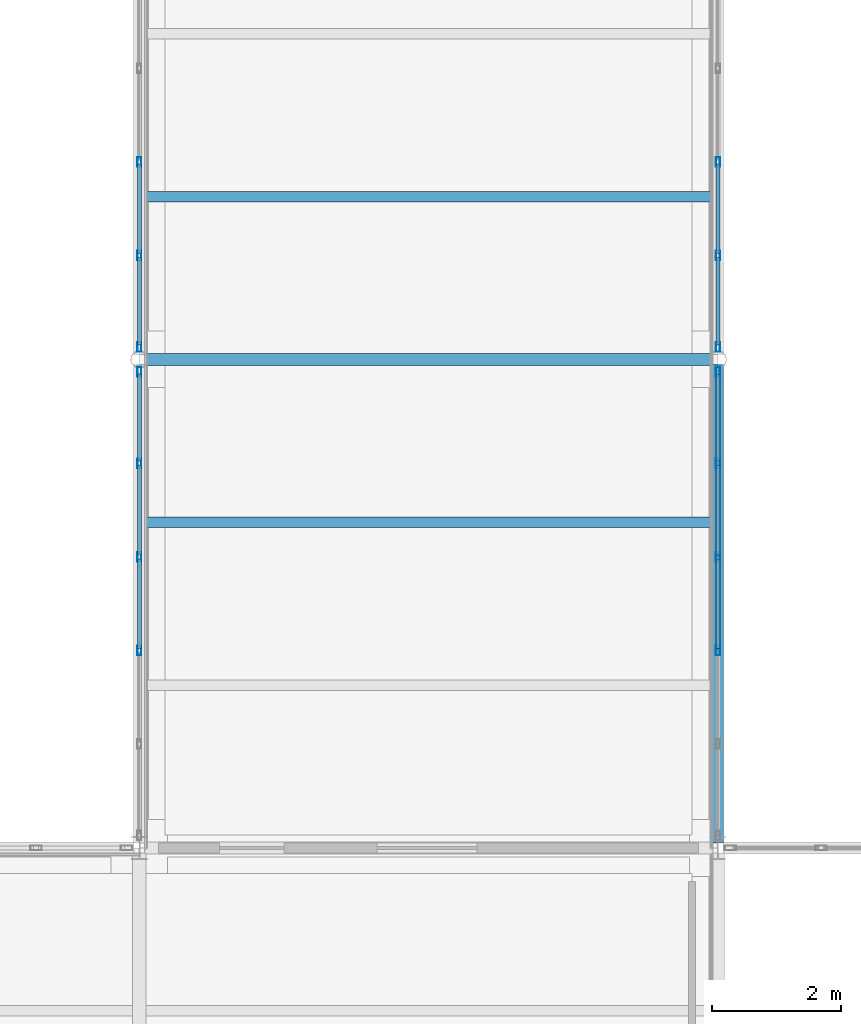
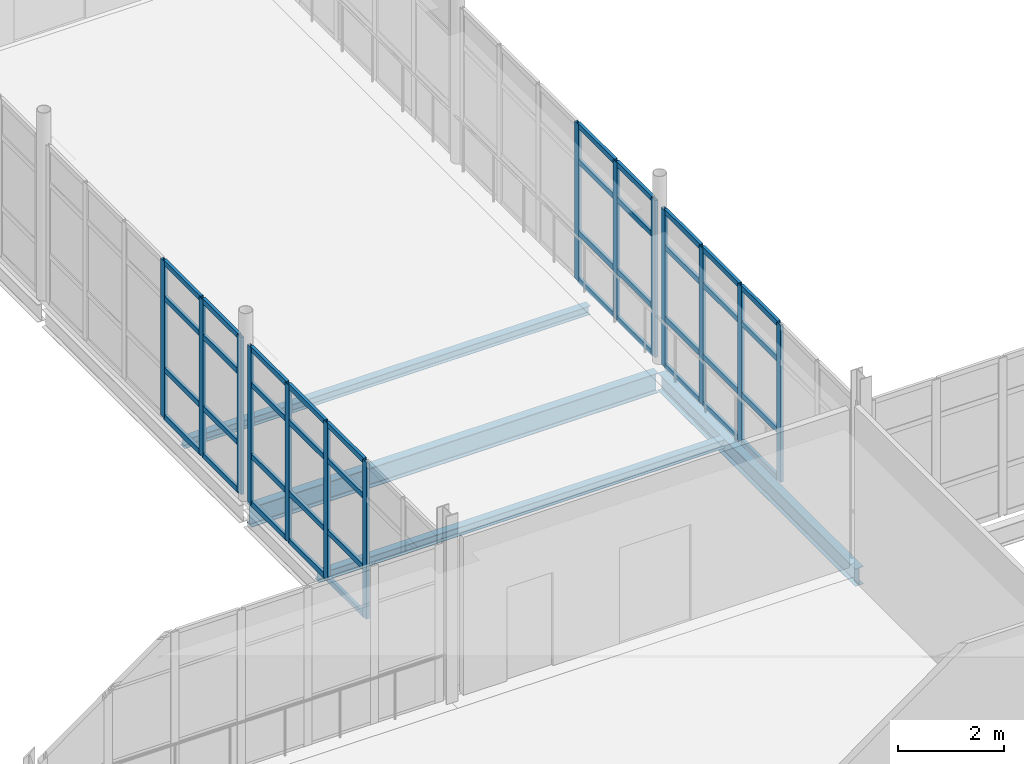
# One storey, part 71 of 174: 54 members, 4 beams, 4 elements without a shape of their own.
"""IFC4 building model written with IfcOpenShell, lengths in metres."""

import ifcopenshell
import ifcopenshell.guid

model = None  # the IFC model being written
_history = None  # IfcOwnerHistory: only IFC2X3 demands one
_inside = {}  # id of a spatial element -> (the spatial element, [elements in it])
_under = {}  # id of a project, library or spatial element -> (it, [spatial elements below it])
_declared = {}  # id of a project -> (the project, [libraries it declares])
_typed = {}  # id of a type object -> (the type object, [elements of that type])
_made_of = {}  # id of a material, layer set ... -> (it, [elements and type objects made of it])


def new_model(schema):
    """Start an empty IFC model of exactly this schema.

    Asked for "IFC4X3", IfcOpenShell would pick the latest addendum, in which some entities
    have other attributes; the version numbers below select the first issue.
    IFC2X3 requires an IfcOwnerHistory on every rooted entity: one is made here for all.
    """
    global model, _history
    if schema == "IFC4X3":
        model = ifcopenshell.file(schema_version=(4, 3, 0, 0))
    else:
        model = ifcopenshell.file(schema=schema)
    _inside.clear()
    _under.clear()
    _declared.clear()
    _typed.clear()
    _made_of.clear()
    _history = None
    if model.schema == "IFC2X3":
        org = make("IfcOrganization", Name="unknown")
        user = make(
            "IfcPersonAndOrganization",
            ThePerson=make("IfcPerson", FamilyName="unknown"),
            TheOrganization=org,
        )
        app = make(
            "IfcApplication",
            ApplicationDeveloper=org,
            Version="unknown",
            ApplicationFullName="unknown",
            ApplicationIdentifier="unknown",
        )
        _history = make(
            "IfcOwnerHistory",
            OwningUser=user,
            OwningApplication=app,
            ChangeAction="ADDED",
            CreationDate=0,
        )
    return model


def make(cls, **values):
    """One entity of the class cls with the attributes given. An attribute that is None is left unset."""
    return model.create_entity(
        cls, **{name: value for name, value in values.items() if value is not None}
    )


def rooted(cls, **values):
    """An entity with a GlobalId (a new one), such as an element, a storey or a relation."""
    return make(cls, GlobalId=ifcopenshell.guid.new(), OwnerHistory=_history, **values)


def si_unit(unit_type, name, prefix=None):
    """IfcSIUnit, for example si_unit("LENGTHUNIT", "METRE", prefix="MILLI")."""
    return make("IfcSIUnit", UnitType=unit_type, Prefix=prefix, Name=name)


def assignment(units):
    """IfcUnitAssignment: the units of a project."""
    return None if units is None else make("IfcUnitAssignment", Units=units)


def point(xyz):
    """IfcCartesianPoint."""
    return None if xyz is None else make("IfcCartesianPoint", Coordinates=xyz)


def direction(xyz):
    """IfcDirection."""
    return None if xyz is None else make("IfcDirection", DirectionRatios=xyz)


def frame(location, z_axis=None, x_axis=None):
    """IfcAxis2Placement3D, a coordinate frame: its origin and axes. An axis left out is left unset."""
    return make(
        "IfcAxis2Placement3D",
        Location=point(location),
        Axis=direction(z_axis),
        RefDirection=direction(x_axis),
    )


def frame_2d(location, x_axis=None):
    """IfcAxis2Placement2D, a coordinate frame in the plane: its origin and x axis."""
    return make(
        "IfcAxis2Placement2D", Location=point(location), RefDirection=direction(x_axis)
    )


def origin():
    """The frame at (0, 0, 0) with its axes left unset."""
    return frame((0.0, 0.0, 0.0))


def origin_2d():
    """The frame at (0, 0) in the plane with its x axis left unset."""
    return frame_2d((0.0, 0.0))


def place(relative_to, where):
    """IfcLocalPlacement: puts the frame where relative to a parent placement (None: the world)."""
    return make(
        "IfcLocalPlacement", PlacementRelTo=relative_to, RelativePlacement=where
    )


def context(
    kind, dimensions, precision=None, world=None, true_north=None, identifier=None
):
    """IfcGeometricRepresentationContext, for example the 3D "Model" context."""
    return make(
        "IfcGeometricRepresentationContext",
        ContextIdentifier=identifier,
        ContextType=kind,
        CoordinateSpaceDimension=dimensions,
        Precision=precision,
        WorldCoordinateSystem=world,
        TrueNorth=true_north,
    )


def subcontext(parent, identifier, kind, view, scale=None):
    """IfcGeometricRepresentationSubContext, for example "Body" below "Model"."""
    return make(
        "IfcGeometricRepresentationSubContext",
        ContextIdentifier=identifier,
        ContextType=kind,
        ParentContext=parent,
        TargetScale=scale,
        TargetView=view,
    )


def project(units=None, contexts=None):
    """IfcProject with its units and contexts."""
    return rooted(
        "IfcProject",
        Name="project",
        RepresentationContexts=contexts,
        UnitsInContext=assignment(units),
    )


def spatial(cls, under=None, at=None, **own):
    """A site, building, storey or space (cls), placed at a placement, below another one or the project."""
    s = rooted(cls, ObjectPlacement=at, **own)
    if under is not None:
        _under.setdefault(under.id(), (under, []))[1].append(s)
    return s


def profile(cls, at=None, kind="AREA", **sizes):
    """A parametric profile (cls). Its sizes go by their IFC names, for example OverallWidth=200.0."""
    return make(cls, ProfileType=kind, Position=at, **sizes)


def hollow_rectangle(**sizes):
    """IfcRectangleHollowProfileDef."""
    return profile("IfcRectangleHollowProfileDef", **sizes)


def i_section(**sizes):
    """IfcIShapeProfileDef."""
    return profile("IfcIShapeProfileDef", **sizes)


def extrude(swept, where, along, depth):
    """IfcExtrudedAreaSolid: the profile swept, set in the frame where, extruded along a direction by depth."""
    return make(
        "IfcExtrudedAreaSolid",
        SweptArea=swept,
        Position=where,
        ExtrudedDirection=direction(along),
        Depth=depth,
    )


def shape(context_of_items, identifier, shape_type, items):
    """IfcShapeRepresentation: the items that make up one representation, for example the "Body"."""
    return make(
        "IfcShapeRepresentation",
        ContextOfItems=context_of_items,
        RepresentationIdentifier=identifier,
        RepresentationType=shape_type,
        Items=items,
    )


def material(Name=None, Category=None):
    """IfcMaterial."""
    return make("IfcMaterial", Name=Name, Category=Category)


def material_profile(
    of_material, cross_section, Name=None, Category=None, Priority=None
):
    """IfcMaterialProfile: a cross section and its material."""
    return make(
        "IfcMaterialProfile",
        Name=Name,
        Material=of_material,
        Profile=cross_section,
        Priority=Priority,
        Category=Category,
    )


def profile_set(profiles, Name=None, composite=None):
    """IfcMaterialProfileSet."""
    return make(
        "IfcMaterialProfileSet",
        Name=Name,
        MaterialProfiles=profiles,
        CompositeProfile=composite,
    )


def made_of(thing, what):
    """Note that an element or type object is made of a material, layer set ...; save() writes the relation."""
    if what is not None:
        _made_of.setdefault(what.id(), (what, []))[1].append(thing)
    return thing


def type_object(cls, material=None, **own):
    """A type object (cls), such as IfcWallType, which elements share."""
    return made_of(rooted(cls, **own), material)


def element(
    cls,
    number,
    at=None,
    inside=None,
    cuts=None,
    type_object=None,
    material=None,
    context=None,
    identifier="Body",
    shape_type=None,
    held_by="IfcProductDefinitionShape",
    body=None,
    shapes=None,
    **own,
):
    """One element of the class cls, such as IfcWall. Its Tag is "e" and its number.

    at: its placement. inside: the storey or other place that contains it. cuts: it is an
    opening in that element (IfcRelVoidsElement). A single representation is given by context,
    identifier, shape_type and body (its items); several are given by shapes. held_by: the class
    of the entity that holds the representations. save() writes the other relations.
    """
    e = rooted(cls, Tag="e%d" % number, ObjectPlacement=at, **own)
    if body is not None:
        shapes = [shape(context, identifier, shape_type, body)]
    if shapes is not None:
        e.Representation = make(held_by, Representations=shapes)
    if inside is not None:
        _inside.setdefault(inside.id(), (inside, []))[1].append(e)
    if cuts is not None:
        rooted(
            "IfcRelVoidsElement", RelatingBuildingElement=cuts, RelatedOpeningElement=e
        )
    if type_object is not None:
        _typed.setdefault(type_object.id(), (type_object, []))[1].append(e)
    return made_of(e, material)


def aggregate(whole, parts):
    """IfcRelAggregates: a whole, such as a stair, and the parts it consists of."""
    return rooted("IfcRelAggregates", RelatingObject=whole, RelatedObjects=parts)


def save(model, path):
    """Write the relations noted so far, then the file.

    IfcRelAggregates (storeys below a building ...), IfcRelContainedInSpatialStructure (elements
    in a storey), IfcRelDefinesByType, IfcRelAssociatesMaterial and IfcRelDeclares: one each for
    every whole, place, type object, material and project.
    """
    for whole, parts in _under.values():
        aggregate(whole, parts)
    for where, things in _inside.values():
        rooted(
            "IfcRelContainedInSpatialStructure",
            RelatedElements=things,
            RelatingStructure=where,
        )
    for kind, things in _typed.values():
        rooted("IfcRelDefinesByType", RelatedObjects=things, RelatingType=kind)
    for what, things in _made_of.values():
        rooted("IfcRelAssociatesMaterial", RelatedObjects=things, RelatingMaterial=what)
    for by, libraries in _declared.values():
        rooted("IfcRelDeclares", RelatingContext=by, RelatedDefinitions=libraries)
    model.write(path)


model = new_model("IFC4")

# Units and contexts
model_context = context("Model", 3, precision=1e-05, world=origin(), true_north=direction((0.0, 1.0)))
body_context = subcontext(model_context, "Body", "Model", "MODEL_VIEW")
ifc_project = project(units=[si_unit("LENGTHUNIT", "METRE"), si_unit("AREAUNIT", "SQUARE_METRE"), si_unit("VOLUMEUNIT", "CUBIC_METRE"), si_unit("PLANEANGLEUNIT", "RADIAN"), si_unit("MASSUNIT", "GRAM", prefix="KILO")], contexts=[model_context])

# Site, building, storey
site_placement = place(None, origin())
site = spatial("IfcSite", under=ifc_project, at=site_placement, CompositionType="ELEMENT")
building_placement = place(site_placement, origin())
building = spatial("IfcBuilding", under=site, at=building_placement, Name="Caisbarro Railhouse Central Library", CompositionType="ELEMENT")
storey_placement = place(building_placement, frame((0.0, 0.0, 5.0400390625)))
storey = spatial("IfcBuildingStorey", under=building, at=storey_placement, Name="L01", CompositionType="ELEMENT", Elevation=5.0400390625)

# Beams
ifc_material_1 = material(Name="Steel ASTM A572 Grade 50", Category="steel")
ifc_material_profile_1 = material_profile(ifc_material_1, i_section(OverallWidth=0.18994140625, OverallDepth=0.45703125, WebThickness=0.009033203125, FlangeThickness=0.014404296875, FilletRadius=0.01806640625, at=origin_2d()), Name="W460X74.0")
ifc_profile_set_1 = profile_set([ifc_material_profile_1], Name="Steel ASTM A572 Grade 50")
beam_type_1 = type_object("IfcBeamType", Name="BM-G08", PredefinedType="BEAM", material=ifc_profile_set_1)
beam_1_placement = place(storey_placement, frame((54.080078125, 68.39990234375, -0.428466796875), z_axis=(1.0, 0.0, 0.0), x_axis=(0.0, 1.0, 0.0)))
element("IfcBeam", 1, at=beam_1_placement, inside=storey, type_object=beam_type_1, Name="G08 beam L01 #1246", PredefinedType="BEAM", context=body_context, shape_type="SweptSolid", body=[
    extrude(i_section(OverallWidth=0.18994140625, OverallDepth=0.45703125, WebThickness=0.009033203125, FlangeThickness=0.014404296875, FilletRadius=0.01806640625, at=origin_2d()), origin(), (0.0, 0.0, 1.0), 8.83984375),
])
ifc_material_profile_2 = material_profile(ifc_material_1, i_section(OverallWidth=0.177978515625, OverallDepth=0.406982421875, WebThickness=0.0078125, FlangeThickness=0.0126953125, FilletRadius=0.01611328125, at=origin_2d()), Name="W410X60.0")
ifc_profile_set_2 = profile_set([ifc_material_profile_2], Name="Steel ASTM A572 Grade 50")
beam_type_2 = type_object("IfcBeamType", Name="BM-G10", PredefinedType="BEAM", material=ifc_profile_set_2)
beam_2_placement = place(storey_placement, frame((63.0, 60.8798828125, -0.403564453125), z_axis=(0.0, 1.0, 0.0), x_axis=(-1.0, 0.0, 0.0)))
element("IfcBeam", 2, at=beam_2_placement, inside=storey, type_object=beam_type_2, Name="G10 beam L01 #1251", PredefinedType="BEAM", context=body_context, shape_type="SweptSolid", body=[
    extrude(i_section(OverallWidth=0.177978515625, OverallDepth=0.406982421875, WebThickness=0.0078125, FlangeThickness=0.0126953125, FilletRadius=0.01611328125, at=origin_2d()), origin(), (0.0, 0.0, 1.0), 7.440185546875),
])
ifc_material_profile_3 = material_profile(ifc_material_1, i_section(OverallWidth=0.1650390625, OverallDepth=0.200927734375, WebThickness=0.006103515625, FlangeThickness=0.01025390625, FilletRadius=0.010009765625, at=origin_2d()), Name="W200X35.9")
ifc_profile_set_3 = profile_set([ifc_material_profile_3], Name="Steel ASTM A572 Grade 50")
beam_type_3 = type_object("IfcBeamType", Name="BM-J06", PredefinedType="JOIST", material=ifc_profile_set_3)
for number, where, z_axis, x_axis, name in (
    (3, (54.089111328125, 65.86669921875, -0.300537109375), (1.0, 0.0, 0.0), (0.0, 1.0, 0.0), "J06 beam L01 #1255"),
    (4, (54.089111328125, 70.933349609375, -0.300537109375), (1.0, 0.0, 0.0), (0.0, 1.0, 0.0), "J06 beam L01 #1256"),
):
    element("IfcBeam", number, at=place(storey_placement, frame(where, z_axis=z_axis, x_axis=x_axis)), inside=storey, type_object=beam_type_3, Name=name, PredefinedType="JOIST", context=body_context, shape_type="SweptSolid", body=[
        extrude(i_section(OverallWidth=0.1650390625, OverallDepth=0.200927734375, WebThickness=0.006103515625, FlangeThickness=0.01025390625, FilletRadius=0.010009765625, at=origin_2d()), origin(), (0.0, 0.0, 1.0), 8.82177734375),
    ])

# Curtain wall, members
ifc_material_2 = material(Name="Anodised architectural aluminium", Category="aluminium")
curtain_wall_type = type_object("IfcCurtainWallType", Name="CW-CW03", PredefinedType="NOTDEFINED", material=ifc_material_2)
curtain_wall_1_placement = place(storey_placement, origin())
curtain_wall_1 = element("IfcCurtainWall", 5, at=curtain_wall_1_placement, inside=storey, type_object=curtain_wall_type, Name="CW03 curtain wall L01 #192", PredefinedType="NOTDEFINED")
ifc_material_profile_4 = material_profile(ifc_material_2, hollow_rectangle(XDim=0.06494140625, YDim=0.14990234375, WallThickness=0.00390625, at=origin_2d()), Name="ALU-MUL-65X150")
ifc_profile_set_4 = profile_set([ifc_material_profile_4], Name="Anodised architectural aluminium")
member_type_1 = type_object("IfcMemberType", Name="CWM-M02", PredefinedType="MULLION", material=ifc_profile_set_4)
member_1_placement = place(storey_placement, frame((54.0, 63.8720703125, 0.0), z_axis=(0.0, 0.0, 1.0), x_axis=(-1.0, 0.0, 0.0)))
member_1 = element("IfcMember", 6, at=member_1_placement, type_object=member_type_1, Name="CW03 mullion 3", PredefinedType="MULLION", context=body_context, shape_type="SweptSolid", body=[
    extrude(hollow_rectangle(XDim=0.06494140625, YDim=0.14990234375, WallThickness=0.00390625, at=origin_2d()), origin(), (0.0, 0.0, 1.0), 3.60986328125),
])
member_2_placement = place(storey_placement, frame((54.0, 65.327880859375, 0.0), z_axis=(0.0, 0.0, 1.0), x_axis=(-1.0, 0.0, 0.0)))
member_2 = element("IfcMember", 7, at=member_2_placement, type_object=member_type_1, Name="CW03 mullion 4", PredefinedType="MULLION", context=body_context, shape_type="SweptSolid", body=[
    extrude(hollow_rectangle(XDim=0.06494140625, YDim=0.14990234375, WallThickness=0.00390625, at=origin_2d()), origin(), (0.0, 0.0, 1.0), 3.60986328125),
])
member_3_placement = place(storey_placement, frame((54.0, 66.783935546875, 0.0), z_axis=(0.0, 0.0, 1.0), x_axis=(-1.0, 0.0, 0.0)))
member_3 = element("IfcMember", 8, at=member_3_placement, type_object=member_type_1, Name="CW03 mullion 5", PredefinedType="MULLION", context=body_context, shape_type="SweptSolid", body=[
    extrude(hollow_rectangle(XDim=0.06494140625, YDim=0.14990234375, WallThickness=0.00390625, at=origin_2d()), origin(), (0.0, 0.0, 1.0), 3.60986328125),
])
member_4_placement = place(storey_placement, frame((54.0, 68.20751953125, 0.0), z_axis=(0.0, 0.0, 1.0), x_axis=(-1.0, 0.0, 0.0)))
member_4 = element("IfcMember", 9, at=member_4_placement, type_object=member_type_1, Name="CW03 mullion 6", PredefinedType="MULLION", context=body_context, shape_type="SweptSolid", body=[
    extrude(hollow_rectangle(XDim=0.06494140625, YDim=0.14990234375, WallThickness=0.00390625, at=origin_2d()), origin(), (0.0, 0.0, 1.0), 3.60986328125),
])

curtain_wall_2_placement = place(storey_placement, origin())
curtain_wall_2 = element("IfcCurtainWall", 10, at=curtain_wall_2_placement, inside=storey, type_object=curtain_wall_type, Name="CW03 curtain wall L01 #193", PredefinedType="NOTDEFINED")
member_5_placement = place(storey_placement, frame((63.0, 63.8720703125, 0.0), z_axis=(0.0, 0.0, 1.0), x_axis=(-1.0, 0.0, 0.0)))
member_5 = element("IfcMember", 11, at=member_5_placement, type_object=member_type_1, Name="CW03 mullion 3", PredefinedType="MULLION", context=body_context, shape_type="SweptSolid", body=[
    extrude(hollow_rectangle(XDim=0.06494140625, YDim=0.14990234375, WallThickness=0.00390625, at=origin_2d()), origin(), (0.0, 0.0, 1.0), 3.60986328125),
])
member_6_placement = place(storey_placement, frame((63.0, 65.327880859375, 0.0), z_axis=(0.0, 0.0, 1.0), x_axis=(-1.0, 0.0, 0.0)))
member_6 = element("IfcMember", 12, at=member_6_placement, type_object=member_type_1, Name="CW03 mullion 4", PredefinedType="MULLION", context=body_context, shape_type="SweptSolid", body=[
    extrude(hollow_rectangle(XDim=0.06494140625, YDim=0.14990234375, WallThickness=0.00390625, at=origin_2d()), origin(), (0.0, 0.0, 1.0), 3.60986328125),
])
member_7_placement = place(storey_placement, frame((63.0, 66.783935546875, 0.0), z_axis=(0.0, 0.0, 1.0), x_axis=(-1.0, 0.0, 0.0)))
member_7 = element("IfcMember", 13, at=member_7_placement, type_object=member_type_1, Name="CW03 mullion 5", PredefinedType="MULLION", context=body_context, shape_type="SweptSolid", body=[
    extrude(hollow_rectangle(XDim=0.06494140625, YDim=0.14990234375, WallThickness=0.00390625, at=origin_2d()), origin(), (0.0, 0.0, 1.0), 3.60986328125),
])
member_8_placement = place(storey_placement, frame((63.0, 68.20751953125, 0.0), z_axis=(0.0, 0.0, 1.0), x_axis=(-1.0, 0.0, 0.0)))
member_8 = element("IfcMember", 14, at=member_8_placement, type_object=member_type_1, Name="CW03 mullion 6", PredefinedType="MULLION", context=body_context, shape_type="SweptSolid", body=[
    extrude(hollow_rectangle(XDim=0.06494140625, YDim=0.14990234375, WallThickness=0.00390625, at=origin_2d()), origin(), (0.0, 0.0, 1.0), 3.60986328125),
])

curtain_wall_3_placement = place(storey_placement, origin())
curtain_wall_3 = element("IfcCurtainWall", 15, at=curtain_wall_3_placement, inside=storey, type_object=curtain_wall_type, Name="CW03 curtain wall L01 #194", PredefinedType="NOTDEFINED")
member_9_placement = place(storey_placement, frame((54.0, 68.592529296875, 0.0), z_axis=(0.0, 0.0, 1.0), x_axis=(-1.0, 0.0, 0.0)))
member_9 = element("IfcMember", 16, at=member_9_placement, type_object=member_type_1, Name="CW03 mullion 1", PredefinedType="MULLION", context=body_context, shape_type="SweptSolid", body=[
    extrude(hollow_rectangle(XDim=0.06494140625, YDim=0.14990234375, WallThickness=0.00390625, at=origin_2d()), origin(), (0.0, 0.0, 1.0), 3.60986328125),
])
member_10_placement = place(storey_placement, frame((54.0, 70.01611328125, 0.0), z_axis=(0.0, 0.0, 1.0), x_axis=(-1.0, 0.0, 0.0)))
member_10 = element("IfcMember", 17, at=member_10_placement, type_object=member_type_1, Name="CW03 mullion 2", PredefinedType="MULLION", context=body_context, shape_type="SweptSolid", body=[
    extrude(hollow_rectangle(XDim=0.06494140625, YDim=0.14990234375, WallThickness=0.00390625, at=origin_2d()), origin(), (0.0, 0.0, 1.0), 3.60986328125),
])
member_11_placement = place(storey_placement, frame((54.0, 71.471923828125, 0.0), z_axis=(0.0, 0.0, 1.0), x_axis=(-1.0, 0.0, 0.0)))
member_11 = element("IfcMember", 18, at=member_11_placement, type_object=member_type_1, Name="CW03 mullion 3", PredefinedType="MULLION", context=body_context, shape_type="SweptSolid", body=[
    extrude(hollow_rectangle(XDim=0.06494140625, YDim=0.14990234375, WallThickness=0.00390625, at=origin_2d()), origin(), (0.0, 0.0, 1.0), 3.60986328125),
])

curtain_wall_4_placement = place(storey_placement, origin())
curtain_wall_4 = element("IfcCurtainWall", 19, at=curtain_wall_4_placement, inside=storey, type_object=curtain_wall_type, Name="CW03 curtain wall L01 #195", PredefinedType="NOTDEFINED")
member_12_placement = place(storey_placement, frame((63.0, 68.592529296875, 0.0), z_axis=(0.0, 0.0, 1.0), x_axis=(-1.0, 0.0, 0.0)))
member_12 = element("IfcMember", 20, at=member_12_placement, type_object=member_type_1, Name="CW03 mullion 1", PredefinedType="MULLION", context=body_context, shape_type="SweptSolid", body=[
    extrude(hollow_rectangle(XDim=0.06494140625, YDim=0.14990234375, WallThickness=0.00390625, at=origin_2d()), origin(), (0.0, 0.0, 1.0), 3.60986328125),
])
member_13_placement = place(storey_placement, frame((63.0, 70.01611328125, 0.0), z_axis=(0.0, 0.0, 1.0), x_axis=(-1.0, 0.0, 0.0)))
member_13 = element("IfcMember", 21, at=member_13_placement, type_object=member_type_1, Name="CW03 mullion 2", PredefinedType="MULLION", context=body_context, shape_type="SweptSolid", body=[
    extrude(hollow_rectangle(XDim=0.06494140625, YDim=0.14990234375, WallThickness=0.00390625, at=origin_2d()), origin(), (0.0, 0.0, 1.0), 3.60986328125),
])
member_14_placement = place(storey_placement, frame((63.0, 71.471923828125, 0.0), z_axis=(0.0, 0.0, 1.0), x_axis=(-1.0, 0.0, 0.0)))
member_14 = element("IfcMember", 22, at=member_14_placement, type_object=member_type_1, Name="CW03 mullion 3", PredefinedType="MULLION", context=body_context, shape_type="SweptSolid", body=[
    extrude(hollow_rectangle(XDim=0.06494140625, YDim=0.14990234375, WallThickness=0.00390625, at=origin_2d()), origin(), (0.0, 0.0, 1.0), 3.60986328125),
])

# Member
ifc_material_profile_5 = material_profile(ifc_material_2, hollow_rectangle(XDim=0.06494140625, YDim=0.1201171875, WallThickness=0.00341796875, at=origin_2d()), Name="ALU-TRN-65X120")
ifc_profile_set_5 = profile_set([ifc_material_profile_5], Name="Anodised architectural aluminium")
member_type_2 = type_object("IfcMemberType", Name="CWT-T02", PredefinedType="USERDEFINED", material=ifc_profile_set_5)
member_15_placement = place(storey_placement, frame((54.0, 63.904541015625, 0.032470703125), z_axis=(0.0, 1.0, 0.0), x_axis=(-1.0, 0.0, 0.0)))
member_15 = element("IfcMember", 23, at=member_15_placement, type_object=member_type_2, Name="CW03 transom 3.1", ObjectType="TRANSOM", PredefinedType="USERDEFINED", context=body_context, shape_type="SweptSolid", body=[
    extrude(hollow_rectangle(XDim=0.06494140625, YDim=0.1201171875, WallThickness=0.00341796875, at=origin_2d()), origin(), (0.0, 0.0, 1.0), 1.390869140625),
])

member_16_placement = place(storey_placement, frame((54.0, 63.904541015625, 1.119873046875), z_axis=(0.0, 1.0, 0.0), x_axis=(-1.0, 0.0, 0.0)))
member_16 = element("IfcMember", 24, at=member_16_placement, type_object=member_type_2, Name="CW03 transom 3.2", ObjectType="TRANSOM", PredefinedType="USERDEFINED", context=body_context, shape_type="SweptSolid", body=[
    extrude(hollow_rectangle(XDim=0.06494140625, YDim=0.1201171875, WallThickness=0.00341796875, at=origin_2d()), origin(), (0.0, 0.0, 1.0), 1.390869140625),
])

member_17_placement = place(storey_placement, frame((54.0, 63.904541015625, 2.760009765625), z_axis=(0.0, 1.0, 0.0), x_axis=(-1.0, 0.0, 0.0)))
member_17 = element("IfcMember", 25, at=member_17_placement, type_object=member_type_2, Name="CW03 transom 3.3", ObjectType="TRANSOM", PredefinedType="USERDEFINED", context=body_context, shape_type="SweptSolid", body=[
    extrude(hollow_rectangle(XDim=0.06494140625, YDim=0.1201171875, WallThickness=0.00341796875, at=origin_2d()), origin(), (0.0, 0.0, 1.0), 1.390869140625),
])

member_18_placement = place(storey_placement, frame((54.0, 63.904541015625, 3.577392578125), z_axis=(0.0, 1.0, 0.0), x_axis=(-1.0, 0.0, 0.0)))
member_18 = element("IfcMember", 26, at=member_18_placement, type_object=member_type_2, Name="CW03 transom 3.4", ObjectType="TRANSOM", PredefinedType="USERDEFINED", context=body_context, shape_type="SweptSolid", body=[
    extrude(hollow_rectangle(XDim=0.06494140625, YDim=0.1201171875, WallThickness=0.00341796875, at=origin_2d()), origin(), (0.0, 0.0, 1.0), 1.390869140625),
])

member_19_placement = place(storey_placement, frame((54.0, 65.360595703125, 0.032470703125), z_axis=(0.0, 1.0, 0.0), x_axis=(-1.0, 0.0, 0.0)))
member_19 = element("IfcMember", 27, at=member_19_placement, type_object=member_type_2, Name="CW03 transom 4.1", ObjectType="TRANSOM", PredefinedType="USERDEFINED", context=body_context, shape_type="SweptSolid", body=[
    extrude(hollow_rectangle(XDim=0.06494140625, YDim=0.1201171875, WallThickness=0.00341796875, at=origin_2d()), origin(), (0.0, 0.0, 1.0), 1.390869140625),
])

member_20_placement = place(storey_placement, frame((54.0, 65.360595703125, 1.119873046875), z_axis=(0.0, 1.0, 0.0), x_axis=(-1.0, 0.0, 0.0)))
member_20 = element("IfcMember", 28, at=member_20_placement, type_object=member_type_2, Name="CW03 transom 4.2", ObjectType="TRANSOM", PredefinedType="USERDEFINED", context=body_context, shape_type="SweptSolid", body=[
    extrude(hollow_rectangle(XDim=0.06494140625, YDim=0.1201171875, WallThickness=0.00341796875, at=origin_2d()), origin(), (0.0, 0.0, 1.0), 1.390869140625),
])

member_21_placement = place(storey_placement, frame((54.0, 65.360595703125, 2.760009765625), z_axis=(0.0, 1.0, 0.0), x_axis=(-1.0, 0.0, 0.0)))
member_21 = element("IfcMember", 29, at=member_21_placement, type_object=member_type_2, Name="CW03 transom 4.3", ObjectType="TRANSOM", PredefinedType="USERDEFINED", context=body_context, shape_type="SweptSolid", body=[
    extrude(hollow_rectangle(XDim=0.06494140625, YDim=0.1201171875, WallThickness=0.00341796875, at=origin_2d()), origin(), (0.0, 0.0, 1.0), 1.390869140625),
])

member_22_placement = place(storey_placement, frame((54.0, 65.360595703125, 3.577392578125), z_axis=(0.0, 1.0, 0.0), x_axis=(-1.0, 0.0, 0.0)))
member_22 = element("IfcMember", 30, at=member_22_placement, type_object=member_type_2, Name="CW03 transom 4.4", ObjectType="TRANSOM", PredefinedType="USERDEFINED", context=body_context, shape_type="SweptSolid", body=[
    extrude(hollow_rectangle(XDim=0.06494140625, YDim=0.1201171875, WallThickness=0.00341796875, at=origin_2d()), origin(), (0.0, 0.0, 1.0), 1.390869140625),
])

member_23_placement = place(storey_placement, frame((54.0, 66.81640625, 0.032470703125), z_axis=(0.0, 1.0, 0.0), x_axis=(-1.0, 0.0, 0.0)))
member_23 = element("IfcMember", 31, at=member_23_placement, type_object=member_type_2, Name="CW03 transom 5.1", ObjectType="TRANSOM", PredefinedType="USERDEFINED", context=body_context, shape_type="SweptSolid", body=[
    extrude(hollow_rectangle(XDim=0.06494140625, YDim=0.1201171875, WallThickness=0.00341796875, at=origin_2d()), origin(), (0.0, 0.0, 1.0), 1.358642578125),
])

member_24_placement = place(storey_placement, frame((54.0, 66.81640625, 1.119873046875), z_axis=(0.0, 1.0, 0.0), x_axis=(-1.0, 0.0, 0.0)))
member_24 = element("IfcMember", 32, at=member_24_placement, type_object=member_type_2, Name="CW03 transom 5.2", ObjectType="TRANSOM", PredefinedType="USERDEFINED", context=body_context, shape_type="SweptSolid", body=[
    extrude(hollow_rectangle(XDim=0.06494140625, YDim=0.1201171875, WallThickness=0.00341796875, at=origin_2d()), origin(), (0.0, 0.0, 1.0), 1.358642578125),
])

member_25_placement = place(storey_placement, frame((54.0, 66.81640625, 2.760009765625), z_axis=(0.0, 1.0, 0.0), x_axis=(-1.0, 0.0, 0.0)))
member_25 = element("IfcMember", 33, at=member_25_placement, type_object=member_type_2, Name="CW03 transom 5.3", ObjectType="TRANSOM", PredefinedType="USERDEFINED", context=body_context, shape_type="SweptSolid", body=[
    extrude(hollow_rectangle(XDim=0.06494140625, YDim=0.1201171875, WallThickness=0.00341796875, at=origin_2d()), origin(), (0.0, 0.0, 1.0), 1.358642578125),
])

member_26_placement = place(storey_placement, frame((54.0, 66.81640625, 3.577392578125), z_axis=(0.0, 1.0, 0.0), x_axis=(-1.0, 0.0, 0.0)))
member_26 = element("IfcMember", 34, at=member_26_placement, type_object=member_type_2, Name="CW03 transom 5.4", ObjectType="TRANSOM", PredefinedType="USERDEFINED", context=body_context, shape_type="SweptSolid", body=[
    extrude(hollow_rectangle(XDim=0.06494140625, YDim=0.1201171875, WallThickness=0.00341796875, at=origin_2d()), origin(), (0.0, 0.0, 1.0), 1.358642578125),
])

aggregate(curtain_wall_1, [member_1, member_2, member_3, member_4, member_15, member_16, member_17, member_18, member_19, member_20, member_21, member_22, member_23, member_24, member_25, member_26])

member_27_placement = place(storey_placement, frame((63.0, 63.904541015625, 0.032470703125), z_axis=(0.0, 1.0, 0.0), x_axis=(-1.0, 0.0, 0.0)))
member_27 = element("IfcMember", 35, at=member_27_placement, type_object=member_type_2, Name="CW03 transom 3.1", ObjectType="TRANSOM", PredefinedType="USERDEFINED", context=body_context, shape_type="SweptSolid", body=[
    extrude(hollow_rectangle(XDim=0.06494140625, YDim=0.1201171875, WallThickness=0.00341796875, at=origin_2d()), origin(), (0.0, 0.0, 1.0), 1.390869140625),
])

member_28_placement = place(storey_placement, frame((63.0, 63.904541015625, 1.119873046875), z_axis=(0.0, 1.0, 0.0), x_axis=(-1.0, 0.0, 0.0)))
member_28 = element("IfcMember", 36, at=member_28_placement, type_object=member_type_2, Name="CW03 transom 3.2", ObjectType="TRANSOM", PredefinedType="USERDEFINED", context=body_context, shape_type="SweptSolid", body=[
    extrude(hollow_rectangle(XDim=0.06494140625, YDim=0.1201171875, WallThickness=0.00341796875, at=origin_2d()), origin(), (0.0, 0.0, 1.0), 1.390869140625),
])

member_29_placement = place(storey_placement, frame((63.0, 63.904541015625, 2.760009765625), z_axis=(0.0, 1.0, 0.0), x_axis=(-1.0, 0.0, 0.0)))
member_29 = element("IfcMember", 37, at=member_29_placement, type_object=member_type_2, Name="CW03 transom 3.3", ObjectType="TRANSOM", PredefinedType="USERDEFINED", context=body_context, shape_type="SweptSolid", body=[
    extrude(hollow_rectangle(XDim=0.06494140625, YDim=0.1201171875, WallThickness=0.00341796875, at=origin_2d()), origin(), (0.0, 0.0, 1.0), 1.390869140625),
])

member_30_placement = place(storey_placement, frame((63.0, 63.904541015625, 3.577392578125), z_axis=(0.0, 1.0, 0.0), x_axis=(-1.0, 0.0, 0.0)))
member_30 = element("IfcMember", 38, at=member_30_placement, type_object=member_type_2, Name="CW03 transom 3.4", ObjectType="TRANSOM", PredefinedType="USERDEFINED", context=body_context, shape_type="SweptSolid", body=[
    extrude(hollow_rectangle(XDim=0.06494140625, YDim=0.1201171875, WallThickness=0.00341796875, at=origin_2d()), origin(), (0.0, 0.0, 1.0), 1.390869140625),
])

member_31_placement = place(storey_placement, frame((63.0, 65.360595703125, 0.032470703125), z_axis=(0.0, 1.0, 0.0), x_axis=(-1.0, 0.0, 0.0)))
member_31 = element("IfcMember", 39, at=member_31_placement, type_object=member_type_2, Name="CW03 transom 4.1", ObjectType="TRANSOM", PredefinedType="USERDEFINED", context=body_context, shape_type="SweptSolid", body=[
    extrude(hollow_rectangle(XDim=0.06494140625, YDim=0.1201171875, WallThickness=0.00341796875, at=origin_2d()), origin(), (0.0, 0.0, 1.0), 1.390869140625),
])

member_32_placement = place(storey_placement, frame((63.0, 65.360595703125, 1.119873046875), z_axis=(0.0, 1.0, 0.0), x_axis=(-1.0, 0.0, 0.0)))
member_32 = element("IfcMember", 40, at=member_32_placement, type_object=member_type_2, Name="CW03 transom 4.2", ObjectType="TRANSOM", PredefinedType="USERDEFINED", context=body_context, shape_type="SweptSolid", body=[
    extrude(hollow_rectangle(XDim=0.06494140625, YDim=0.1201171875, WallThickness=0.00341796875, at=origin_2d()), origin(), (0.0, 0.0, 1.0), 1.390869140625),
])

member_33_placement = place(storey_placement, frame((63.0, 65.360595703125, 2.760009765625), z_axis=(0.0, 1.0, 0.0), x_axis=(-1.0, 0.0, 0.0)))
member_33 = element("IfcMember", 41, at=member_33_placement, type_object=member_type_2, Name="CW03 transom 4.3", ObjectType="TRANSOM", PredefinedType="USERDEFINED", context=body_context, shape_type="SweptSolid", body=[
    extrude(hollow_rectangle(XDim=0.06494140625, YDim=0.1201171875, WallThickness=0.00341796875, at=origin_2d()), origin(), (0.0, 0.0, 1.0), 1.390869140625),
])

member_34_placement = place(storey_placement, frame((63.0, 65.360595703125, 3.577392578125), z_axis=(0.0, 1.0, 0.0), x_axis=(-1.0, 0.0, 0.0)))
member_34 = element("IfcMember", 42, at=member_34_placement, type_object=member_type_2, Name="CW03 transom 4.4", ObjectType="TRANSOM", PredefinedType="USERDEFINED", context=body_context, shape_type="SweptSolid", body=[
    extrude(hollow_rectangle(XDim=0.06494140625, YDim=0.1201171875, WallThickness=0.00341796875, at=origin_2d()), origin(), (0.0, 0.0, 1.0), 1.390869140625),
])

member_35_placement = place(storey_placement, frame((63.0, 66.81640625, 0.032470703125), z_axis=(0.0, 1.0, 0.0), x_axis=(-1.0, 0.0, 0.0)))
member_35 = element("IfcMember", 43, at=member_35_placement, type_object=member_type_2, Name="CW03 transom 5.1", ObjectType="TRANSOM", PredefinedType="USERDEFINED", context=body_context, shape_type="SweptSolid", body=[
    extrude(hollow_rectangle(XDim=0.06494140625, YDim=0.1201171875, WallThickness=0.00341796875, at=origin_2d()), origin(), (0.0, 0.0, 1.0), 1.358642578125),
])

member_36_placement = place(storey_placement, frame((63.0, 66.81640625, 1.119873046875), z_axis=(0.0, 1.0, 0.0), x_axis=(-1.0, 0.0, 0.0)))
member_36 = element("IfcMember", 44, at=member_36_placement, type_object=member_type_2, Name="CW03 transom 5.2", ObjectType="TRANSOM", PredefinedType="USERDEFINED", context=body_context, shape_type="SweptSolid", body=[
    extrude(hollow_rectangle(XDim=0.06494140625, YDim=0.1201171875, WallThickness=0.00341796875, at=origin_2d()), origin(), (0.0, 0.0, 1.0), 1.358642578125),
])

member_37_placement = place(storey_placement, frame((63.0, 66.81640625, 2.760009765625), z_axis=(0.0, 1.0, 0.0), x_axis=(-1.0, 0.0, 0.0)))
member_37 = element("IfcMember", 45, at=member_37_placement, type_object=member_type_2, Name="CW03 transom 5.3", ObjectType="TRANSOM", PredefinedType="USERDEFINED", context=body_context, shape_type="SweptSolid", body=[
    extrude(hollow_rectangle(XDim=0.06494140625, YDim=0.1201171875, WallThickness=0.00341796875, at=origin_2d()), origin(), (0.0, 0.0, 1.0), 1.358642578125),
])

member_38_placement = place(storey_placement, frame((63.0, 66.81640625, 3.577392578125), z_axis=(0.0, 1.0, 0.0), x_axis=(-1.0, 0.0, 0.0)))
member_38 = element("IfcMember", 46, at=member_38_placement, type_object=member_type_2, Name="CW03 transom 5.4", ObjectType="TRANSOM", PredefinedType="USERDEFINED", context=body_context, shape_type="SweptSolid", body=[
    extrude(hollow_rectangle(XDim=0.06494140625, YDim=0.1201171875, WallThickness=0.00341796875, at=origin_2d()), origin(), (0.0, 0.0, 1.0), 1.358642578125),
])

aggregate(curtain_wall_2, [member_5, member_6, member_7, member_8, member_27, member_28, member_29, member_30, member_31, member_32, member_33, member_34, member_35, member_36, member_37, member_38])

member_39_placement = place(storey_placement, frame((54.0, 68.625, 0.032470703125), z_axis=(0.0, 1.0, 0.0), x_axis=(-1.0, 0.0, 0.0)))
member_39 = element("IfcMember", 47, at=member_39_placement, type_object=member_type_2, Name="CW03 transom 1.1", ObjectType="TRANSOM", PredefinedType="USERDEFINED", context=body_context, shape_type="SweptSolid", body=[
    extrude(hollow_rectangle(XDim=0.06494140625, YDim=0.1201171875, WallThickness=0.00341796875, at=origin_2d()), origin(), (0.0, 0.0, 1.0), 1.3583984375),
])

member_40_placement = place(storey_placement, frame((54.0, 68.625, 1.119873046875), z_axis=(0.0, 1.0, 0.0), x_axis=(-1.0, 0.0, 0.0)))
member_40 = element("IfcMember", 48, at=member_40_placement, type_object=member_type_2, Name="CW03 transom 1.2", ObjectType="TRANSOM", PredefinedType="USERDEFINED", context=body_context, shape_type="SweptSolid", body=[
    extrude(hollow_rectangle(XDim=0.06494140625, YDim=0.1201171875, WallThickness=0.00341796875, at=origin_2d()), origin(), (0.0, 0.0, 1.0), 1.3583984375),
])

member_41_placement = place(storey_placement, frame((54.0, 68.625, 2.760009765625), z_axis=(0.0, 1.0, 0.0), x_axis=(-1.0, 0.0, 0.0)))
member_41 = element("IfcMember", 49, at=member_41_placement, type_object=member_type_2, Name="CW03 transom 1.3", ObjectType="TRANSOM", PredefinedType="USERDEFINED", context=body_context, shape_type="SweptSolid", body=[
    extrude(hollow_rectangle(XDim=0.06494140625, YDim=0.1201171875, WallThickness=0.00341796875, at=origin_2d()), origin(), (0.0, 0.0, 1.0), 1.3583984375),
])

member_42_placement = place(storey_placement, frame((54.0, 68.625, 3.577392578125), z_axis=(0.0, 1.0, 0.0), x_axis=(-1.0, 0.0, 0.0)))
member_42 = element("IfcMember", 50, at=member_42_placement, type_object=member_type_2, Name="CW03 transom 1.4", ObjectType="TRANSOM", PredefinedType="USERDEFINED", context=body_context, shape_type="SweptSolid", body=[
    extrude(hollow_rectangle(XDim=0.06494140625, YDim=0.1201171875, WallThickness=0.00341796875, at=origin_2d()), origin(), (0.0, 0.0, 1.0), 1.3583984375),
])

member_43_placement = place(storey_placement, frame((54.0, 70.048583984375, 0.032470703125), z_axis=(0.0, 1.0, 0.0), x_axis=(-1.0, 0.0, 0.0)))
member_43 = element("IfcMember", 51, at=member_43_placement, type_object=member_type_2, Name="CW03 transom 2.1", ObjectType="TRANSOM", PredefinedType="USERDEFINED", context=body_context, shape_type="SweptSolid", body=[
    extrude(hollow_rectangle(XDim=0.06494140625, YDim=0.1201171875, WallThickness=0.00341796875, at=origin_2d()), origin(), (0.0, 0.0, 1.0), 1.390869140625),
])

member_44_placement = place(storey_placement, frame((54.0, 70.048583984375, 1.119873046875), z_axis=(0.0, 1.0, 0.0), x_axis=(-1.0, 0.0, 0.0)))
member_44 = element("IfcMember", 52, at=member_44_placement, type_object=member_type_2, Name="CW03 transom 2.2", ObjectType="TRANSOM", PredefinedType="USERDEFINED", context=body_context, shape_type="SweptSolid", body=[
    extrude(hollow_rectangle(XDim=0.06494140625, YDim=0.1201171875, WallThickness=0.00341796875, at=origin_2d()), origin(), (0.0, 0.0, 1.0), 1.390869140625),
])

member_45_placement = place(storey_placement, frame((54.0, 70.048583984375, 2.760009765625), z_axis=(0.0, 1.0, 0.0), x_axis=(-1.0, 0.0, 0.0)))
member_45 = element("IfcMember", 53, at=member_45_placement, type_object=member_type_2, Name="CW03 transom 2.3", ObjectType="TRANSOM", PredefinedType="USERDEFINED", context=body_context, shape_type="SweptSolid", body=[
    extrude(hollow_rectangle(XDim=0.06494140625, YDim=0.1201171875, WallThickness=0.00341796875, at=origin_2d()), origin(), (0.0, 0.0, 1.0), 1.390869140625),
])

member_46_placement = place(storey_placement, frame((54.0, 70.048583984375, 3.577392578125), z_axis=(0.0, 1.0, 0.0), x_axis=(-1.0, 0.0, 0.0)))
member_46 = element("IfcMember", 54, at=member_46_placement, type_object=member_type_2, Name="CW03 transom 2.4", ObjectType="TRANSOM", PredefinedType="USERDEFINED", context=body_context, shape_type="SweptSolid", body=[
    extrude(hollow_rectangle(XDim=0.06494140625, YDim=0.1201171875, WallThickness=0.00341796875, at=origin_2d()), origin(), (0.0, 0.0, 1.0), 1.390869140625),
])

aggregate(curtain_wall_3, [member_9, member_10, member_11, member_39, member_40, member_41, member_42, member_43, member_44, member_45, member_46])

member_47_placement = place(storey_placement, frame((63.0, 68.625, 0.032470703125), z_axis=(0.0, 1.0, 0.0), x_axis=(-1.0, 0.0, 0.0)))
member_47 = element("IfcMember", 55, at=member_47_placement, type_object=member_type_2, Name="CW03 transom 1.1", ObjectType="TRANSOM", PredefinedType="USERDEFINED", context=body_context, shape_type="SweptSolid", body=[
    extrude(hollow_rectangle(XDim=0.06494140625, YDim=0.1201171875, WallThickness=0.00341796875, at=origin_2d()), origin(), (0.0, 0.0, 1.0), 1.3583984375),
])

member_48_placement = place(storey_placement, frame((63.0, 68.625, 1.119873046875), z_axis=(0.0, 1.0, 0.0), x_axis=(-1.0, 0.0, 0.0)))
member_48 = element("IfcMember", 56, at=member_48_placement, type_object=member_type_2, Name="CW03 transom 1.2", ObjectType="TRANSOM", PredefinedType="USERDEFINED", context=body_context, shape_type="SweptSolid", body=[
    extrude(hollow_rectangle(XDim=0.06494140625, YDim=0.1201171875, WallThickness=0.00341796875, at=origin_2d()), origin(), (0.0, 0.0, 1.0), 1.3583984375),
])

member_49_placement = place(storey_placement, frame((63.0, 68.625, 2.760009765625), z_axis=(0.0, 1.0, 0.0), x_axis=(-1.0, 0.0, 0.0)))
member_49 = element("IfcMember", 57, at=member_49_placement, type_object=member_type_2, Name="CW03 transom 1.3", ObjectType="TRANSOM", PredefinedType="USERDEFINED", context=body_context, shape_type="SweptSolid", body=[
    extrude(hollow_rectangle(XDim=0.06494140625, YDim=0.1201171875, WallThickness=0.00341796875, at=origin_2d()), origin(), (0.0, 0.0, 1.0), 1.3583984375),
])

member_50_placement = place(storey_placement, frame((63.0, 68.625, 3.577392578125), z_axis=(0.0, 1.0, 0.0), x_axis=(-1.0, 0.0, 0.0)))
member_50 = element("IfcMember", 58, at=member_50_placement, type_object=member_type_2, Name="CW03 transom 1.4", ObjectType="TRANSOM", PredefinedType="USERDEFINED", context=body_context, shape_type="SweptSolid", body=[
    extrude(hollow_rectangle(XDim=0.06494140625, YDim=0.1201171875, WallThickness=0.00341796875, at=origin_2d()), origin(), (0.0, 0.0, 1.0), 1.3583984375),
])

member_51_placement = place(storey_placement, frame((63.0, 70.048583984375, 0.032470703125), z_axis=(0.0, 1.0, 0.0), x_axis=(-1.0, 0.0, 0.0)))
member_51 = element("IfcMember", 59, at=member_51_placement, type_object=member_type_2, Name="CW03 transom 2.1", ObjectType="TRANSOM", PredefinedType="USERDEFINED", context=body_context, shape_type="SweptSolid", body=[
    extrude(hollow_rectangle(XDim=0.06494140625, YDim=0.1201171875, WallThickness=0.00341796875, at=origin_2d()), origin(), (0.0, 0.0, 1.0), 1.390869140625),
])

member_52_placement = place(storey_placement, frame((63.0, 70.048583984375, 1.119873046875), z_axis=(0.0, 1.0, 0.0), x_axis=(-1.0, 0.0, 0.0)))
member_52 = element("IfcMember", 60, at=member_52_placement, type_object=member_type_2, Name="CW03 transom 2.2", ObjectType="TRANSOM", PredefinedType="USERDEFINED", context=body_context, shape_type="SweptSolid", body=[
    extrude(hollow_rectangle(XDim=0.06494140625, YDim=0.1201171875, WallThickness=0.00341796875, at=origin_2d()), origin(), (0.0, 0.0, 1.0), 1.390869140625),
])

member_53_placement = place(storey_placement, frame((63.0, 70.048583984375, 2.760009765625), z_axis=(0.0, 1.0, 0.0), x_axis=(-1.0, 0.0, 0.0)))
member_53 = element("IfcMember", 61, at=member_53_placement, type_object=member_type_2, Name="CW03 transom 2.3", ObjectType="TRANSOM", PredefinedType="USERDEFINED", context=body_context, shape_type="SweptSolid", body=[
    extrude(hollow_rectangle(XDim=0.06494140625, YDim=0.1201171875, WallThickness=0.00341796875, at=origin_2d()), origin(), (0.0, 0.0, 1.0), 1.390869140625),
])

member_54_placement = place(storey_placement, frame((63.0, 70.048583984375, 3.577392578125), z_axis=(0.0, 1.0, 0.0), x_axis=(-1.0, 0.0, 0.0)))
member_54 = element("IfcMember", 62, at=member_54_placement, type_object=member_type_2, Name="CW03 transom 2.4", ObjectType="TRANSOM", PredefinedType="USERDEFINED", context=body_context, shape_type="SweptSolid", body=[
    extrude(hollow_rectangle(XDim=0.06494140625, YDim=0.1201171875, WallThickness=0.00341796875, at=origin_2d()), origin(), (0.0, 0.0, 1.0), 1.390869140625),
])

aggregate(curtain_wall_4, [member_12, member_13, member_14, member_47, member_48, member_49, member_50, member_51, member_52, member_53, member_54])

save(model, "model.ifc")
